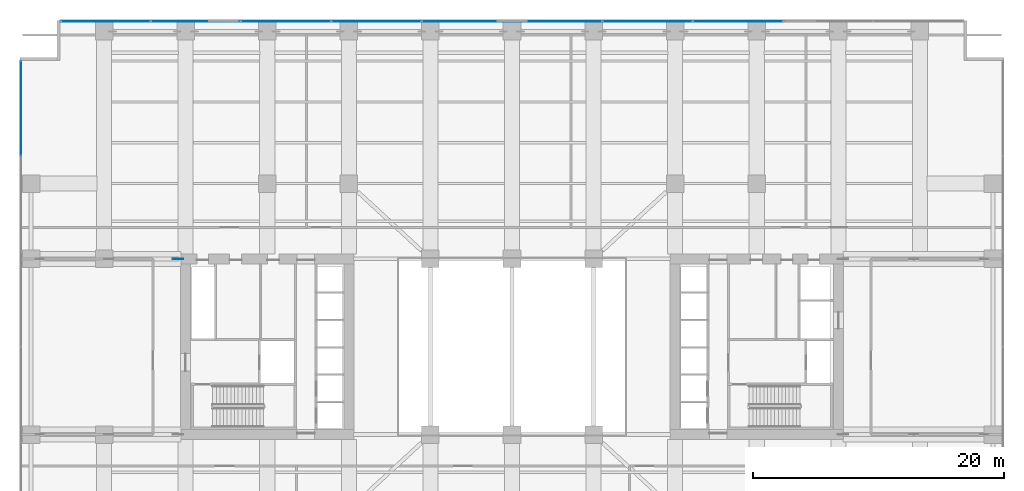
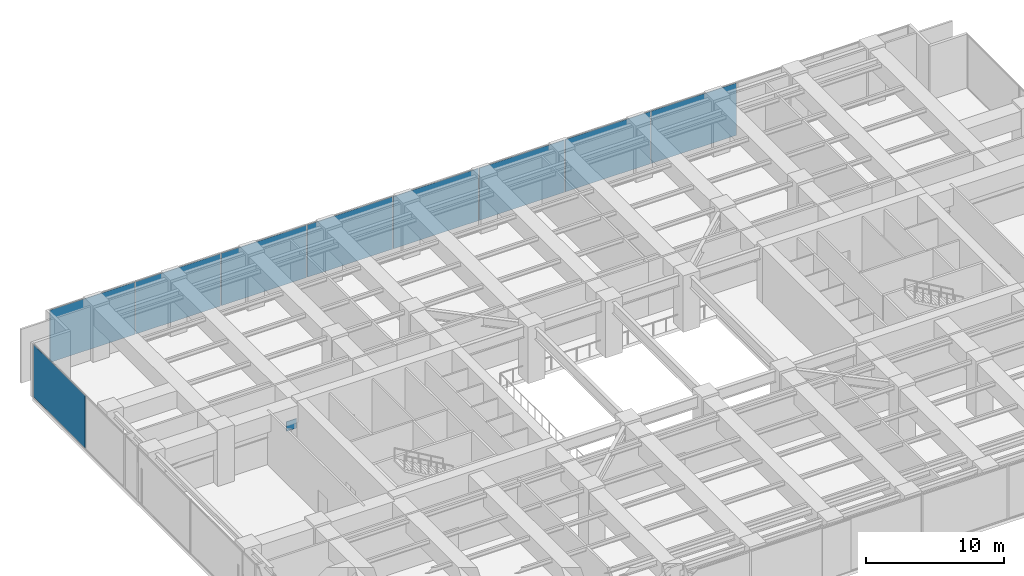
# One storey, part 17 of 31: 10 plates, 2 elements without a shape of their own.
"""IFC4 building model written with IfcOpenShell, lengths in metres."""

import ifcopenshell
import ifcopenshell.guid

model = None  # the IFC model being written
_history = None  # IfcOwnerHistory: only IFC2X3 demands one
_inside = {}  # id of a spatial element -> (the spatial element, [elements in it])
_under = {}  # id of a project, library or spatial element -> (it, [spatial elements below it])
_declared = {}  # id of a project -> (the project, [libraries it declares])
_typed = {}  # id of a type object -> (the type object, [elements of that type])
_made_of = {}  # id of a material, layer set ... -> (it, [elements and type objects made of it])


def new_model(schema):
    """Start an empty IFC model of exactly this schema.

    Asked for "IFC4X3", IfcOpenShell would pick the latest addendum, in which some entities
    have other attributes; the version numbers below select the first issue.
    IFC2X3 requires an IfcOwnerHistory on every rooted entity: one is made here for all.
    """
    global model, _history
    if schema == "IFC4X3":
        model = ifcopenshell.file(schema_version=(4, 3, 0, 0))
    else:
        model = ifcopenshell.file(schema=schema)
    _inside.clear()
    _under.clear()
    _declared.clear()
    _typed.clear()
    _made_of.clear()
    _history = None
    if model.schema == "IFC2X3":
        org = make("IfcOrganization", Name="unknown")
        user = make(
            "IfcPersonAndOrganization",
            ThePerson=make("IfcPerson", FamilyName="unknown"),
            TheOrganization=org,
        )
        app = make(
            "IfcApplication",
            ApplicationDeveloper=org,
            Version="unknown",
            ApplicationFullName="unknown",
            ApplicationIdentifier="unknown",
        )
        _history = make(
            "IfcOwnerHistory",
            OwningUser=user,
            OwningApplication=app,
            ChangeAction="ADDED",
            CreationDate=0,
        )
    return model


def make(cls, **values):
    """One entity of the class cls with the attributes given. An attribute that is None is left unset."""
    return model.create_entity(
        cls, **{name: value for name, value in values.items() if value is not None}
    )


def rooted(cls, **values):
    """An entity with a GlobalId (a new one), such as an element, a storey or a relation."""
    return make(cls, GlobalId=ifcopenshell.guid.new(), OwnerHistory=_history, **values)


def si_unit(unit_type, name, prefix=None):
    """IfcSIUnit, for example si_unit("LENGTHUNIT", "METRE", prefix="MILLI")."""
    return make("IfcSIUnit", UnitType=unit_type, Prefix=prefix, Name=name)


def assignment(units):
    """IfcUnitAssignment: the units of a project."""
    return None if units is None else make("IfcUnitAssignment", Units=units)


def point(xyz):
    """IfcCartesianPoint."""
    return None if xyz is None else make("IfcCartesianPoint", Coordinates=xyz)


def direction(xyz):
    """IfcDirection."""
    return None if xyz is None else make("IfcDirection", DirectionRatios=xyz)


def frame(location, z_axis=None, x_axis=None):
    """IfcAxis2Placement3D, a coordinate frame: its origin and axes. An axis left out is left unset."""
    return make(
        "IfcAxis2Placement3D",
        Location=point(location),
        Axis=direction(z_axis),
        RefDirection=direction(x_axis),
    )


def frame_2d(location, x_axis=None):
    """IfcAxis2Placement2D, a coordinate frame in the plane: its origin and x axis."""
    return make(
        "IfcAxis2Placement2D", Location=point(location), RefDirection=direction(x_axis)
    )


def origin():
    """The frame at (0, 0, 0) with its axes left unset."""
    return frame((0.0, 0.0, 0.0))


def origin_2d():
    """The frame at (0, 0) in the plane with its x axis left unset."""
    return frame_2d((0.0, 0.0))


def place(relative_to, where):
    """IfcLocalPlacement: puts the frame where relative to a parent placement (None: the world)."""
    return make(
        "IfcLocalPlacement", PlacementRelTo=relative_to, RelativePlacement=where
    )


def context(
    kind, dimensions, precision=None, world=None, true_north=None, identifier=None
):
    """IfcGeometricRepresentationContext, for example the 3D "Model" context."""
    return make(
        "IfcGeometricRepresentationContext",
        ContextIdentifier=identifier,
        ContextType=kind,
        CoordinateSpaceDimension=dimensions,
        Precision=precision,
        WorldCoordinateSystem=world,
        TrueNorth=true_north,
    )


def subcontext(parent, identifier, kind, view, scale=None):
    """IfcGeometricRepresentationSubContext, for example "Body" below "Model"."""
    return make(
        "IfcGeometricRepresentationSubContext",
        ContextIdentifier=identifier,
        ContextType=kind,
        ParentContext=parent,
        TargetScale=scale,
        TargetView=view,
    )


def project(units=None, contexts=None):
    """IfcProject with its units and contexts."""
    return rooted(
        "IfcProject",
        Name="project",
        RepresentationContexts=contexts,
        UnitsInContext=assignment(units),
    )


def spatial(cls, under=None, at=None, **own):
    """A site, building, storey or space (cls), placed at a placement, below another one or the project."""
    s = rooted(cls, ObjectPlacement=at, **own)
    if under is not None:
        _under.setdefault(under.id(), (under, []))[1].append(s)
    return s


def profile(cls, at=None, kind="AREA", **sizes):
    """A parametric profile (cls). Its sizes go by their IFC names, for example OverallWidth=200.0."""
    return make(cls, ProfileType=kind, Position=at, **sizes)


def rectangle(**sizes):
    """IfcRectangleProfileDef."""
    return profile("IfcRectangleProfileDef", **sizes)


def extrude(swept, where, along, depth):
    """IfcExtrudedAreaSolid: the profile swept, set in the frame where, extruded along a direction by depth."""
    return make(
        "IfcExtrudedAreaSolid",
        SweptArea=swept,
        Position=where,
        ExtrudedDirection=direction(along),
        Depth=depth,
    )


def shape(context_of_items, identifier, shape_type, items):
    """IfcShapeRepresentation: the items that make up one representation, for example the "Body"."""
    return make(
        "IfcShapeRepresentation",
        ContextOfItems=context_of_items,
        RepresentationIdentifier=identifier,
        RepresentationType=shape_type,
        Items=items,
    )


def material(Name=None, Category=None):
    """IfcMaterial."""
    return make("IfcMaterial", Name=Name, Category=Category)


def layer(
    of_material, thickness, ventilated=None, Name=None, Category=None, Priority=None
):
    """IfcMaterialLayer: one layer of a wall or slab, of a material (None: an air gap)."""
    return make(
        "IfcMaterialLayer",
        Material=of_material,
        LayerThickness=thickness,
        IsVentilated=ventilated,
        Name=Name,
        Category=Category,
        Priority=Priority,
    )


def layer_set(layers, Name=None):
    """IfcMaterialLayerSet."""
    return make("IfcMaterialLayerSet", MaterialLayers=layers, LayerSetName=Name)


def made_of(thing, what):
    """Note that an element or type object is made of a material, layer set ...; save() writes the relation."""
    if what is not None:
        _made_of.setdefault(what.id(), (what, []))[1].append(thing)
    return thing


def type_object(cls, material=None, **own):
    """A type object (cls), such as IfcWallType, which elements share."""
    return made_of(rooted(cls, **own), material)


def element(
    cls,
    number,
    at=None,
    inside=None,
    cuts=None,
    type_object=None,
    material=None,
    context=None,
    identifier="Body",
    shape_type=None,
    held_by="IfcProductDefinitionShape",
    body=None,
    shapes=None,
    **own,
):
    """One element of the class cls, such as IfcWall. Its Tag is "e" and its number.

    at: its placement. inside: the storey or other place that contains it. cuts: it is an
    opening in that element (IfcRelVoidsElement). A single representation is given by context,
    identifier, shape_type and body (its items); several are given by shapes. held_by: the class
    of the entity that holds the representations. save() writes the other relations.
    """
    e = rooted(cls, Tag="e%d" % number, ObjectPlacement=at, **own)
    if body is not None:
        shapes = [shape(context, identifier, shape_type, body)]
    if shapes is not None:
        e.Representation = make(held_by, Representations=shapes)
    if inside is not None:
        _inside.setdefault(inside.id(), (inside, []))[1].append(e)
    if cuts is not None:
        rooted(
            "IfcRelVoidsElement", RelatingBuildingElement=cuts, RelatedOpeningElement=e
        )
    if type_object is not None:
        _typed.setdefault(type_object.id(), (type_object, []))[1].append(e)
    return made_of(e, material)


def aggregate(whole, parts):
    """IfcRelAggregates: a whole, such as a stair, and the parts it consists of."""
    return rooted("IfcRelAggregates", RelatingObject=whole, RelatedObjects=parts)


def save(model, path):
    """Write the relations noted so far, then the file.

    IfcRelAggregates (storeys below a building ...), IfcRelContainedInSpatialStructure (elements
    in a storey), IfcRelDefinesByType, IfcRelAssociatesMaterial and IfcRelDeclares: one each for
    every whole, place, type object, material and project.
    """
    for whole, parts in _under.values():
        aggregate(whole, parts)
    for where, things in _inside.values():
        rooted(
            "IfcRelContainedInSpatialStructure",
            RelatedElements=things,
            RelatingStructure=where,
        )
    for kind, things in _typed.values():
        rooted("IfcRelDefinesByType", RelatedObjects=things, RelatingType=kind)
    for what, things in _made_of.values():
        rooted("IfcRelAssociatesMaterial", RelatedObjects=things, RelatingMaterial=what)
    for by, libraries in _declared.values():
        rooted("IfcRelDeclares", RelatingContext=by, RelatedDefinitions=libraries)
    model.write(path)


model = new_model("IFC4")

# Units and contexts
model_context = context("Model", 3, precision=1e-05, world=origin(), true_north=direction((0.0, 1.0)))
body_context = subcontext(model_context, "Body", "Model", "MODEL_VIEW")
ifc_project = project(units=[si_unit("LENGTHUNIT", "METRE"), si_unit("AREAUNIT", "SQUARE_METRE"), si_unit("VOLUMEUNIT", "CUBIC_METRE"), si_unit("PLANEANGLEUNIT", "RADIAN"), si_unit("MASSUNIT", "GRAM", prefix="KILO")], contexts=[model_context])

# Site, building, storey
site_placement = place(None, origin())
site = spatial("IfcSite", under=ifc_project, at=site_placement, CompositionType="ELEMENT")
building_placement = place(site_placement, origin())
building = spatial("IfcBuilding", under=site, at=building_placement, Name="Putna Gate Headquarters", CompositionType="ELEMENT")
storey_placement = place(building_placement, frame((0.0, 0.0, 81.0)))
storey = spatial("IfcBuildingStorey", under=building, at=storey_placement, Name="L19", CompositionType="ELEMENT", Elevation=81.0)

# Curtain wall, plates
ifc_material_1 = material(Name="Anodised bronze aluminium curtain wall", Category="aluminium")
ifc_layer_1 = layer(ifc_material_1, 0.159912109375)
ifc_layer_set_1 = layer_set([ifc_layer_1], Name="Anodised bronze aluminium curtain wall")
curtain_wall_type = type_object("IfcCurtainWallType", Name="CW-SYS-CRN", PredefinedType="USERDEFINED", material=ifc_layer_set_1)
curtain_wall_1_placement = place(storey_placement, origin())
curtain_wall_1 = element("IfcCurtainWall", 1, at=curtain_wall_1_placement, inside=storey, type_object=curtain_wall_type, Name="L19 Acoustic Louvre North Enclosure", ObjectType="STICK CURTAIN WALL", PredefinedType="USERDEFINED")
ifc_material_2 = material(Name="Anodised bronze acoustic louvre panel", Category="aluminium")
ifc_layer_2 = layer(ifc_material_2, 0.044921875)
ifc_layer_set_2 = layer_set([ifc_layer_2], Name="Anodised bronze acoustic louvre panel")
plate_type_1 = type_object("IfcPlateType", Name="PAN-CWP-CR", PredefinedType="CURTAIN_PANEL", material=ifc_layer_set_2)
plate_1_placement = place(storey_placement, frame((6.6162109375, 51.919921875, 0.06494140625), z_axis=(0.0, 0.0, 1.0), x_axis=(1.0, 0.0, 0.0)))
plate_1 = element("IfcPlate", 2, at=plate_1_placement, type_object=plate_type_1, Name="CWS-CR panel 1.1", PredefinedType="CURTAIN_PANEL", context=body_context, shape_type="SweptSolid", body=[
    extrude(rectangle(XDim=7.1025390625, YDim=0.044921875, at=origin_2d()), origin(), (0.0, 0.0, 1.0), 4.635009765625),
])
plate_2_placement = place(storey_placement, frame((13.800048828125, 51.919921875, 0.06494140625), z_axis=(0.0, 0.0, 1.0), x_axis=(1.0, 0.0, 0.0)))
plate_2 = element("IfcPlate", 3, at=plate_2_placement, type_object=plate_type_1, Name="CWS-CR panel 2.1", PredefinedType="CURTAIN_PANEL", context=body_context, shape_type="SweptSolid", body=[
    extrude(rectangle(XDim=7.135009765625, YDim=0.044921875, at=origin_2d()), origin(), (0.0, 0.0, 1.0), 4.635009765625),
])
plate_3_placement = place(storey_placement, frame((21.0, 51.919921875, 0.06494140625), z_axis=(0.0, 0.0, 1.0), x_axis=(1.0, 0.0, 0.0)))
plate_3 = element("IfcPlate", 4, at=plate_3_placement, type_object=plate_type_1, Name="CWS-CR panel 3.1", PredefinedType="CURTAIN_PANEL", context=body_context, shape_type="SweptSolid", body=[
    extrude(rectangle(XDim=7.135009765625, YDim=0.044921875, at=origin_2d()), origin(), (0.0, 0.0, 1.0), 4.635009765625),
])
plate_4_placement = place(storey_placement, frame((28.199951171875, 51.919921875, 0.06494140625), z_axis=(0.0, 0.0, 1.0), x_axis=(1.0, 0.0, 0.0)))
plate_4 = element("IfcPlate", 5, at=plate_4_placement, type_object=plate_type_1, Name="CWS-CR panel 4.1", PredefinedType="CURTAIN_PANEL", context=body_context, shape_type="SweptSolid", body=[
    extrude(rectangle(XDim=7.135009765625, YDim=0.044921875, at=origin_2d()), origin(), (0.0, 0.0, 1.0), 4.635009765625),
])
plate_5_placement = place(storey_placement, frame((35.39990234375, 51.919921875, 0.06494140625), z_axis=(0.0, 0.0, 1.0), x_axis=(1.0, 0.0, 0.0)))
plate_5 = element("IfcPlate", 6, at=plate_5_placement, type_object=plate_type_1, Name="CWS-CR panel 5.1", PredefinedType="CURTAIN_PANEL", context=body_context, shape_type="SweptSolid", body=[
    extrude(rectangle(XDim=7.135009765625, YDim=0.044921875, at=origin_2d()), origin(), (0.0, 0.0, 1.0), 4.635009765625),
])
plate_6_placement = place(storey_placement, frame((42.60009765625, 51.919921875, 0.06494140625), z_axis=(0.0, 0.0, 1.0), x_axis=(1.0, 0.0, 0.0)))
plate_6 = element("IfcPlate", 7, at=plate_6_placement, type_object=plate_type_1, Name="CWS-CR panel 6.1", PredefinedType="CURTAIN_PANEL", context=body_context, shape_type="SweptSolid", body=[
    extrude(rectangle(XDim=7.135009765625, YDim=0.044921875, at=origin_2d()), origin(), (0.0, 0.0, 1.0), 4.635009765625),
])
plate_7_placement = place(storey_placement, frame((49.800048828125, 51.919921875, 0.06494140625), z_axis=(0.0, 0.0, 1.0), x_axis=(1.0, 0.0, 0.0)))
plate_7 = element("IfcPlate", 8, at=plate_7_placement, type_object=plate_type_1, Name="CWS-CR panel 7.1", PredefinedType="CURTAIN_PANEL", context=body_context, shape_type="SweptSolid", body=[
    extrude(rectangle(XDim=7.135009765625, YDim=0.044921875, at=origin_2d()), origin(), (0.0, 0.0, 1.0), 4.635009765625),
])
plate_8_placement = place(storey_placement, frame((57.0, 51.919921875, 0.06494140625), z_axis=(0.0, 0.0, 1.0), x_axis=(1.0, 0.0, 0.0)))
plate_8 = element("IfcPlate", 9, at=plate_8_placement, type_object=plate_type_1, Name="CWS-CR panel 8.1", PredefinedType="CURTAIN_PANEL", context=body_context, shape_type="SweptSolid", body=[
    extrude(rectangle(XDim=7.135009765625, YDim=0.044921875, at=origin_2d()), origin(), (0.0, 0.0, 1.0), 4.635009765625),
])
aggregate(curtain_wall_1, [plate_1, plate_2, plate_3, plate_4, plate_5, plate_6, plate_7, plate_8])

# Curtain wall, plate
curtain_wall_2_placement = place(storey_placement, origin())
curtain_wall_2 = element("IfcCurtainWall", 10, at=curtain_wall_2_placement, inside=storey, type_object=curtain_wall_type, Name="L19 Acoustic Louvre West Enclosure", ObjectType="STICK CURTAIN WALL", PredefinedType="USERDEFINED")
plate_9_placement = place(storey_placement, frame((-0.1201171875, 44.983642578125, 0.06494140625), z_axis=(0.0, 0.0, 1.0), x_axis=(0.0, 1.0, 0.0)))
plate_9 = element("IfcPlate", 11, at=plate_9_placement, type_object=plate_type_1, Name="CWS-CR panel 6.1", PredefinedType="CURTAIN_PANEL", context=body_context, shape_type="SweptSolid", body=[
    extrude(rectangle(XDim=7.50244140625, YDim=0.044921875, at=origin_2d()), origin(), (0.0, 0.0, 1.0), 4.635009765625),
])
aggregate(curtain_wall_2, [plate_9])

# Plate
ifc_material_3 = material(Name="Steel S460M", Category="steel")
ifc_layer_3 = layer(ifc_material_3, 0.0400390625)
ifc_layer_set_3 = layer_set([ifc_layer_3], Name="Steel S460M")
plate_type_2 = type_object("IfcPlateType", Name="PLT-NODE-ON1", PredefinedType="SHEET", material=ifc_layer_set_3)
plate_10_placement = place(storey_placement, frame((12.3798828125, 33.0, 2.324951171875), z_axis=(0.0, 0.0, 1.0), x_axis=(1.0, 0.0, 0.0)))
element("IfcPlate", 12, at=plate_10_placement, inside=storey, type_object=plate_type_2, Name="L19 Outrigger Node Plate ON1 WN", PredefinedType="SHEET", context=body_context, shape_type="SweptSolid", body=[
    extrude(rectangle(XDim=0.85009765625, YDim=0.0400390625, at=origin_2d()), origin(), (0.0, 0.0, 1.0), 0.85009765625),
])

save(model, "model.ifc")
